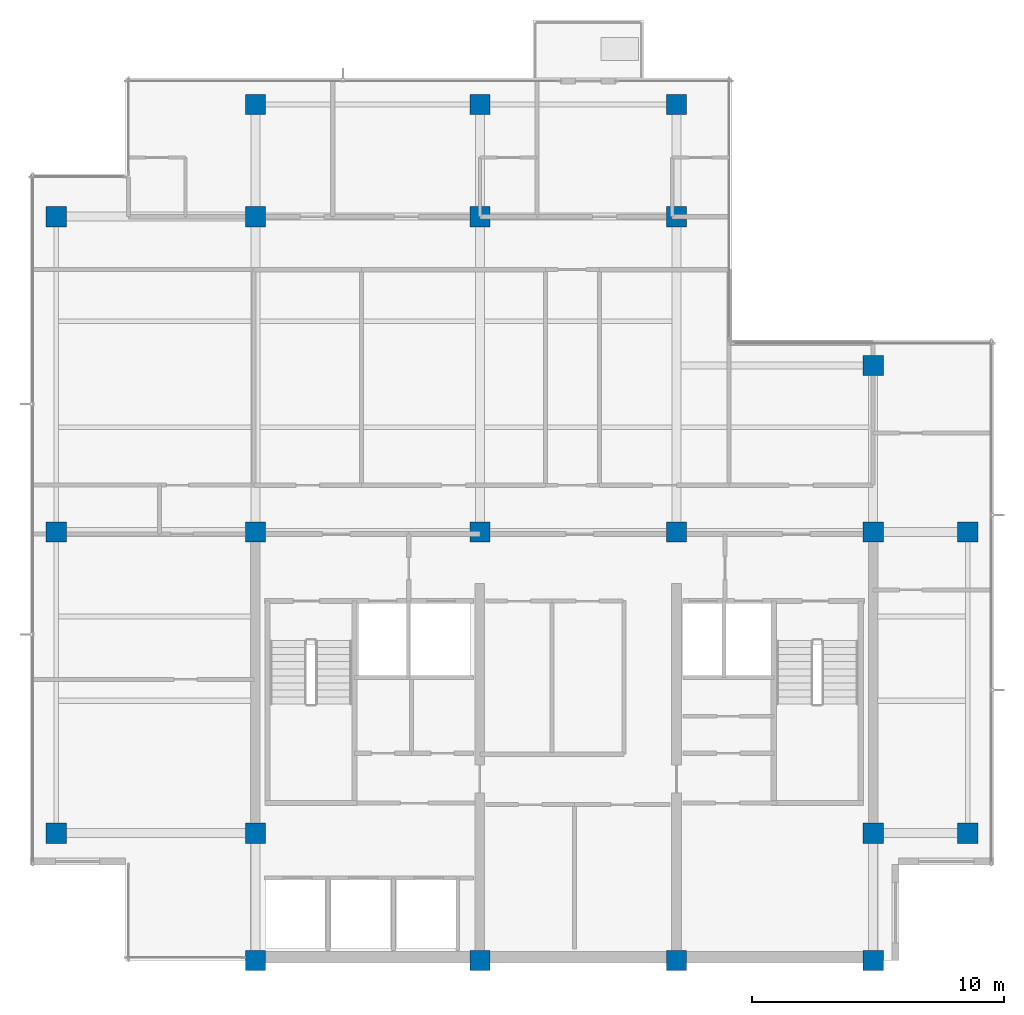
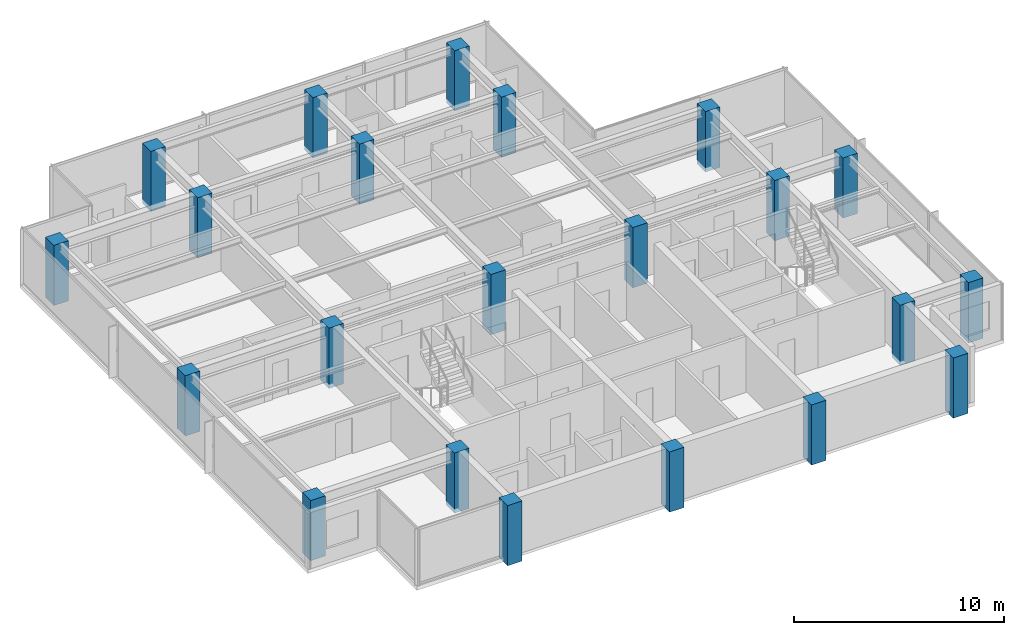
# One storey, part 1 of 11: 22 columns.
"""IFC4 building model written with IfcOpenShell, lengths in metres."""

from ifc_helpers import new_model, si_unit, direction, frame, origin, origin_2d, place, context, subcontext, project, spatial, rectangle, extrude, material, material_profile, profile_set, type_object, element, save


model = new_model("IFC4")

# Units and contexts
model_context = context("Model", 3, precision=1e-05, world=origin(), true_north=direction((0.0, 1.0)))
body_context = subcontext(model_context, "Body", "Model", "MODEL_VIEW")
ifc_project = project(units=[si_unit("LENGTHUNIT", "METRE"), si_unit("AREAUNIT", "SQUARE_METRE"), si_unit("VOLUMEUNIT", "CUBIC_METRE"), si_unit("PLANEANGLEUNIT", "RADIAN"), si_unit("MASSUNIT", "GRAM", prefix="KILO")], contexts=[model_context])

# Site, building, storey
site_placement = place(None, origin())
site = spatial("IfcSite", under=ifc_project, at=site_placement, CompositionType="ELEMENT")
building_placement = place(site_placement, origin())
building = spatial("IfcBuilding", under=site, at=building_placement, Name="Qalmaran Belvedere Hotel", CompositionType="ELEMENT")
storey_placement = place(building_placement, frame((0.0, 0.0, 242.39990234375)))
storey = spatial("IfcBuildingStorey", under=building, at=storey_placement, Name="L62", CompositionType="ELEMENT", Elevation=242.39990234375)

# Columns
ifc_material = material(Name="Concrete C50/60", Category="concrete")
ifc_material_profile = material_profile(ifc_material, rectangle(XDim=0.800048828125, YDim=0.800048828125, at=origin_2d()), Name="CC800X800")
ifc_profile_set = profile_set([ifc_material_profile], Name="Concrete C50/60")
column_type = type_object("IfcColumnType", Name="COL-Z5-CC800", PredefinedType="COLUMN", material=ifc_profile_set)
for number, where, z_axis, x_axis, name in (
    (1, (20.300048828125, 3.5, -0.239990234375), (0.0, 0.0, 1.0), (1.0, 0.0, 0.0), "L62 Column C4B"),
    (2, (29.199951171875, 3.5, -0.239990234375), (0.0, 0.0, 1.0), (1.0, 0.0, 0.0), "L62 Column C5B"),
    (3, (37.0, 3.5, -0.239990234375), (0.0, 0.0, 1.0), (1.0, 0.0, 0.0), "L62 Column C6B"),
    (4, (44.800048828125, 3.5, -0.239990234375), (0.0, 0.0, 1.0), (1.0, 0.0, 0.0), "L62 Column C7B"),
    (5, (20.300048828125, 8.550048828125, -0.239990234375), (0.0, 0.0, 1.0), (1.0, 0.0, 0.0), "L62 Column C4C"),
    (6, (44.800048828125, 8.550048828125, -0.239990234375), (0.0, 0.0, 1.0), (1.0, 0.0, 0.0), "L62 Column C7C"),
    (7, (20.300048828125, 20.5, -0.239990234375), (0.0, 0.0, 1.0), (1.0, 0.0, 0.0), "L62 Column C4D"),
    (8, (29.199951171875, 20.5, -0.239990234375), (0.0, 0.0, 1.0), (1.0, 0.0, 0.0), "L62 Column C5D"),
    (9, (37.0, 20.5, -0.239990234375), (0.0, 0.0, 1.0), (1.0, 0.0, 0.0), "L62 Column C6D"),
    (10, (44.800048828125, 20.5, -0.239990234375), (0.0, 0.0, 1.0), (1.0, 0.0, 0.0), "L62 Column C7D"),
    (11, (20.300048828125, 33.0, -0.239990234375), (0.0, 0.0, 1.0), (1.0, 0.0, 0.0), "L62 Column C4F"),
    (12, (29.199951171875, 33.0, -0.239990234375), (0.0, 0.0, 1.0), (1.0, 0.0, 0.0), "L62 Column C5F"),
    (13, (37.0, 33.0, -0.239990234375), (0.0, 0.0, 1.0), (1.0, 0.0, 0.0), "L62 Column C6F"),
    (14, (44.800048828125, 27.10009765625, -0.239990234375), (0.0, 0.0, 1.0), (1.0, 0.0, 0.0), "L62 Column C7E"),
    (15, (12.39990234375, 8.550048828125, -0.239990234375), (0.0, 0.0, 1.0), (1.0, 0.0, 0.0), "L62 Column CW1"),
    (16, (12.39990234375, 20.5, -0.239990234375), (0.0, 0.0, 1.0), (1.0, 0.0, 0.0), "L62 Column CW3"),
    (17, (12.39990234375, 33.0, -0.239990234375), (0.0, 0.0, 1.0), (1.0, 0.0, 0.0), "L62 Column CW4"),
    (18, (48.550048828125, 8.550048828125, -0.239990234375), (0.0, 0.0, 1.0), (1.0, 0.0, 0.0), "L62 Column CE1"),
    (19, (48.550048828125, 20.5, -0.239990234375), (0.0, 0.0, 1.0), (1.0, 0.0, 0.0), "L62 Column CE3"),
    (20, (20.300048828125, 37.449951171875, -0.239990234375), (0.0, 0.0, 1.0), (1.0, 0.0, 0.0), "L62 Column CN1"),
    (21, (29.199951171875, 37.449951171875, -0.239990234375), (0.0, 0.0, 1.0), (1.0, 0.0, 0.0), "L62 Column CN2"),
    (22, (37.0, 37.449951171875, -0.239990234375), (0.0, 0.0, 1.0), (1.0, 0.0, 0.0), "L62 Column CN3"),
):
    element("IfcColumn", number, at=place(storey_placement, frame(where, z_axis=z_axis, x_axis=x_axis)), inside=storey, type_object=column_type, Name=name, PredefinedType="COLUMN", context=body_context, shape_type="SweptSolid", body=[
        extrude(rectangle(XDim=0.800048828125, YDim=0.800048828125, at=origin_2d()), origin(), (0.0, 0.0, 1.0), 3.5),
    ])

save(model, "model.ifc")
